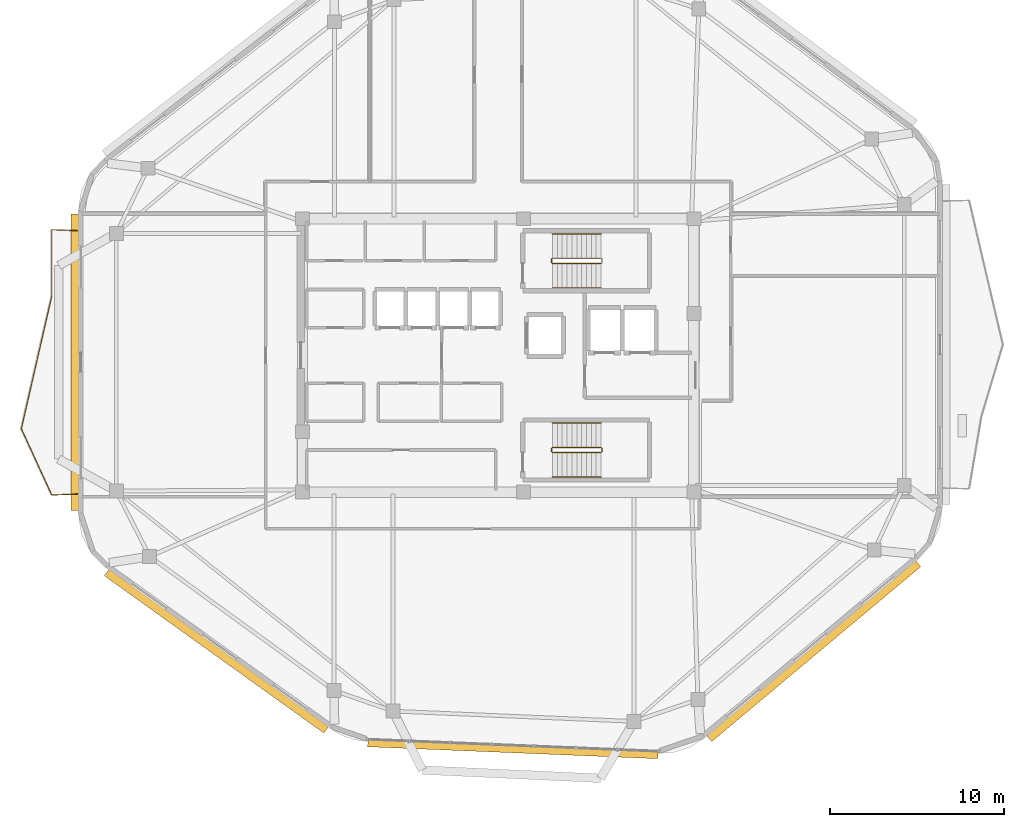
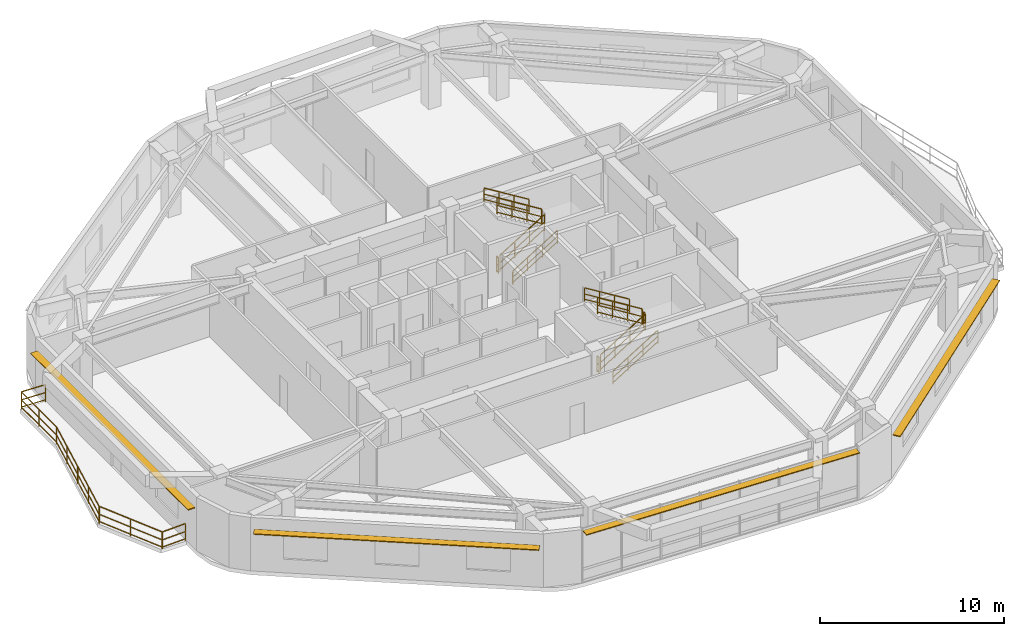
# One storey, part 11 of 13: 16 railings, 4 shading devices.
"""IFC4 building model written with IfcOpenShell, lengths in metres."""

from ifc_helpers import new_model, si_unit, direction, frame, origin, origin_2d, place, context, subcontext, project, spatial, rectangle, extrude, material, layer, layer_set, type_object, element, save


model = new_model("IFC4")

# Units and contexts
model_context = context("Model", 3, precision=1e-05, world=origin(), true_north=direction((0.0, 1.0)))
body_context = subcontext(model_context, "Body", "Model", "MODEL_VIEW")
ifc_project = project(units=[si_unit("LENGTHUNIT", "METRE"), si_unit("AREAUNIT", "SQUARE_METRE"), si_unit("VOLUMEUNIT", "CUBIC_METRE"), si_unit("PLANEANGLEUNIT", "RADIAN"), si_unit("MASSUNIT", "GRAM", prefix="KILO")], contexts=[model_context])

# Site, building, storey
site_placement = place(None, origin())
site = spatial("IfcSite", under=ifc_project, at=site_placement, CompositionType="ELEMENT")
building_placement = place(site_placement, origin())
building = spatial("IfcBuilding", under=site, at=building_placement, Name="Zulverin Broadcast Headquarters", CompositionType="ELEMENT")
storey_placement = place(building_placement, frame((0.0, 0.0, 278.199951171875)))
storey = spatial("IfcBuildingStorey", under=building, at=storey_placement, Name="L71", CompositionType="ELEMENT", Elevation=278.199951171875)

# Railings
ifc_material_1 = material(Name="Brushed stainless steel & laminated glass balustrade", Category="steel")
railing_type_1 = type_object("IfcRailingType", Name="RL-GUARD-1150", PredefinedType="GUARDRAIL", material=ifc_material_1)
railing_1_placement = place(storey_placement, frame((12.760009765625, 32.387939453125, 0.0)))
element("IfcRailing", 1, at=railing_1_placement, inside=storey, type_object=railing_type_1, Name="L71 Vertical-Forest Balcony Guardrail BAL_W Segment 01", PredefinedType="GUARDRAIL", context=body_context, shape_type="SweptSolid", body=[
    extrude(rectangle(XDim=0.048095703125, YDim=0.048095703125, at=origin_2d()), frame((0.0, 0.0, 1.1259765625), z_axis=(-0.999174410196, 0.040626321628, 0.0), x_axis=(-0.040626321628, -0.999174410196, 0.0)), (0.0, 0.0, 1.0), 1.46630859375),
    extrude(rectangle(XDim=0.0419921875, YDim=0.0419921875, at=origin_2d()), frame((0.0, 0.0, 0.597900390625), z_axis=(-0.999174410196, 0.040626321628, 0.0), x_axis=(-0.040626321628, -0.999174410196, 0.0)), (0.0, 0.0, 1.0), 1.46630859375),
    extrude(rectangle(XDim=0.0419921875, YDim=0.0419921875, at=origin_2d()), frame((0.0, 0.0, 0.1201171875), z_axis=(-0.999174410196, 0.040626321628, 0.0), x_axis=(-0.040626321628, -0.999174410196, 0.0)), (0.0, 0.0, 1.0), 1.46630859375),
    extrude(rectangle(XDim=0.0419921875, YDim=0.0419921875, at=origin_2d()), origin(), (0.0, 0.0, 1.0), 1.101806640625),
    extrude(rectangle(XDim=0.0419921875, YDim=0.0419921875, at=origin_2d()), frame((-1.465087890625, 0.0595703125, 0.0)), (0.0, 0.0, 1.0), 1.101806640625),
])
railing_2_placement = place(storey_placement, frame((11.280029296875, 32.43310546875, 0.0)))
element("IfcRailing", 2, at=railing_2_placement, inside=storey, type_object=railing_type_1, Name="L71 Vertical-Forest Balcony Guardrail BAL_W Segment 02", PredefinedType="GUARDRAIL", context=body_context, shape_type="SweptSolid", body=[
    extrude(rectangle(XDim=0.048095703125, YDim=0.048095703125, at=origin_2d()), frame((0.0, 0.0, 1.1259765625), z_axis=(0.0, -1.0, 0.0), x_axis=(1.0, 0.0, 0.0)), (0.0, 0.0, 1.0), 3.794189453125),
    extrude(rectangle(XDim=0.0419921875, YDim=0.0419921875, at=origin_2d()), frame((0.0, 0.0, 0.597900390625), z_axis=(0.0, -1.0, 0.0), x_axis=(1.0, 0.0, 0.0)), (0.0, 0.0, 1.0), 3.794189453125),
    extrude(rectangle(XDim=0.0419921875, YDim=0.0419921875, at=origin_2d()), frame((0.0, 0.0, 0.1201171875), z_axis=(0.0, -1.0, 0.0), x_axis=(1.0, 0.0, 0.0)), (0.0, 0.0, 1.0), 3.794189453125),
    extrude(rectangle(XDim=0.0419921875, YDim=0.0419921875, at=origin_2d()), origin(), (0.0, 0.0, 1.0), 1.101806640625),
    extrude(rectangle(XDim=0.0419921875, YDim=0.0419921875, at=origin_2d()), frame((0.0, -1.89697265625, 0.0)), (0.0, 0.0, 1.0), 1.101806640625),
    extrude(rectangle(XDim=0.0419921875, YDim=0.0419921875, at=origin_2d()), frame((0.0, -3.794189453125, 0.0)), (0.0, 0.0, 1.0), 1.101806640625),
])
railing_3_placement = place(storey_placement, frame((11.276611328125, 28.609375, 0.0)))
element("IfcRailing", 3, at=railing_3_placement, inside=storey, type_object=railing_type_1, Name="L71 Vertical-Forest Balcony Guardrail BAL_W Segment 03", PredefinedType="GUARDRAIL", context=body_context, shape_type="SweptSolid", body=[
    extrude(rectangle(XDim=0.048095703125, YDim=0.048095703125, at=origin_2d()), frame((0.0, 0.0, 1.1259765625), z_axis=(-0.223536273561, -0.974695611154, 0.0), x_axis=(0.974695611154, -0.223536273561, 0.0)), (0.0, 0.0, 1.0), 7.816650390625),
    extrude(rectangle(XDim=0.0419921875, YDim=0.0419921875, at=origin_2d()), frame((0.0, 0.0, 0.597900390625), z_axis=(-0.223536273561, -0.974695611154, 0.0), x_axis=(0.974695611154, -0.223536273561, 0.0)), (0.0, 0.0, 1.0), 7.816650390625),
    extrude(rectangle(XDim=0.0419921875, YDim=0.0419921875, at=origin_2d()), frame((0.0, 0.0, 0.1201171875), z_axis=(-0.223536273561, -0.974695611154, 0.0), x_axis=(0.974695611154, -0.223536273561, 0.0)), (0.0, 0.0, 1.0), 7.816650390625),
    extrude(rectangle(XDim=0.0419921875, YDim=0.0419921875, at=origin_2d()), origin(), (0.0, 0.0, 1.0), 1.101806640625),
    extrude(rectangle(XDim=0.0419921875, YDim=0.0419921875, at=origin_2d()), frame((-0.436767578125, -1.90478515625, 0.0)), (0.0, 0.0, 1.0), 1.101806640625),
    extrude(rectangle(XDim=0.0419921875, YDim=0.0419921875, at=origin_2d()), frame((-0.87353515625, -3.8095703125, 0.0)), (0.0, 0.0, 1.0), 1.101806640625),
    extrude(rectangle(XDim=0.0419921875, YDim=0.0419921875, at=origin_2d()), frame((-1.310546875, -5.714111328125, 0.0)), (0.0, 0.0, 1.0), 1.101806640625),
    extrude(rectangle(XDim=0.0419921875, YDim=0.0419921875, at=origin_2d()), frame((-1.747314453125, -7.618896484375, 0.0)), (0.0, 0.0, 1.0), 1.101806640625),
])
railing_4_placement = place(storey_placement, frame((9.5322265625, 20.962158203125, 0.0)))
element("IfcRailing", 4, at=railing_4_placement, inside=storey, type_object=railing_type_1, Name="L71 Vertical-Forest Balcony Guardrail BAL_W Segment 04", PredefinedType="GUARDRAIL", context=body_context, shape_type="SweptSolid", body=[
    extrude(rectangle(XDim=0.048095703125, YDim=0.048095703125, at=origin_2d()), frame((0.0, 0.0, 1.1259765625), z_axis=(0.416896194835, -0.908954103754, 0.0), x_axis=(0.908954103754, 0.416896194835, 0.0)), (0.0, 0.0, 1.0), 4.17724609375),
    extrude(rectangle(XDim=0.0419921875, YDim=0.0419921875, at=origin_2d()), frame((0.0, 0.0, 0.597900390625), z_axis=(0.416896194835, -0.908954103754, 0.0), x_axis=(0.908954103754, 0.416896194835, 0.0)), (0.0, 0.0, 1.0), 4.17724609375),
    extrude(rectangle(XDim=0.0419921875, YDim=0.0419921875, at=origin_2d()), frame((0.0, 0.0, 0.1201171875), z_axis=(0.416896194835, -0.908954103754, 0.0), x_axis=(0.908954103754, 0.416896194835, 0.0)), (0.0, 0.0, 1.0), 4.17724609375),
    extrude(rectangle(XDim=0.0419921875, YDim=0.0419921875, at=origin_2d()), origin(), (0.0, 0.0, 1.0), 1.101806640625),
    extrude(rectangle(XDim=0.0419921875, YDim=0.0419921875, at=origin_2d()), frame((0.87060546875, -1.8984375, 0.0)), (0.0, 0.0, 1.0), 1.101806640625),
    extrude(rectangle(XDim=0.0419921875, YDim=0.0419921875, at=origin_2d()), frame((1.741455078125, -3.796875, 0.0)), (0.0, 0.0, 1.0), 1.101806640625),
])
railing_5_placement = place(storey_placement, frame((11.294921875, 17.15234375, 0.0)))
element("IfcRailing", 5, at=railing_5_placement, inside=storey, type_object=railing_type_1, Name="L71 Vertical-Forest Balcony Guardrail BAL_W Segment 05", PredefinedType="GUARDRAIL", context=body_context, shape_type="SweptSolid", body=[
    extrude(rectangle(XDim=0.048095703125, YDim=0.048095703125, at=origin_2d()), frame((0.0, 0.0, 1.1259765625), z_axis=(0.999181155166, 0.040460093435, 0.0), x_axis=(-0.040460093435, 0.999181155166, 0.0)), (0.0, 0.0, 1.0), 1.46630859375),
    extrude(rectangle(XDim=0.0419921875, YDim=0.0419921875, at=origin_2d()), frame((0.0, 0.0, 0.597900390625), z_axis=(0.999181155166, 0.040460093435, 0.0), x_axis=(-0.040460093435, 0.999181155166, 0.0)), (0.0, 0.0, 1.0), 1.46630859375),
    extrude(rectangle(XDim=0.0419921875, YDim=0.0419921875, at=origin_2d()), frame((0.0, 0.0, 0.1201171875), z_axis=(0.999181155166, 0.040460093435, 0.0), x_axis=(-0.040460093435, 0.999181155166, 0.0)), (0.0, 0.0, 1.0), 1.46630859375),
    extrude(rectangle(XDim=0.0419921875, YDim=0.0419921875, at=origin_2d()), origin(), (0.0, 0.0, 1.0), 1.101806640625),
    extrude(rectangle(XDim=0.0419921875, YDim=0.0419921875, at=origin_2d()), frame((1.465087890625, 0.059326171875, 0.0)), (0.0, 0.0, 1.0), 1.101806640625),
])
ifc_material_2 = material(Name="Painted galvanized steel tubular guardrail S355JR", Category="steel")
railing_type_2 = type_object("IfcRailingType", Name="RL-ST-GUARD", PredefinedType="GUARDRAIL", material=ifc_material_2)
railing_6_placement = place(storey_placement, frame((40.1298828125, 30.5, 0.1728515625)))
element("IfcRailing", 6, at=railing_6_placement, inside=storey, type_object=railing_type_2, Name="L71 ST-1 stair guard 1", PredefinedType="GUARDRAIL", context=body_context, shape_type="SweptSolid", body=[
    extrude(rectangle(XDim=0.048095703125, YDim=0.048095703125, at=origin_2d()), frame((0.0, 0.0, 1.076171875), z_axis=(0.851089632645, 0.0, 0.525020415988), x_axis=(0.0, 1.0, 0.0)), (0.0, 0.0, 1.0), 3.2900390625),
    extrude(rectangle(XDim=0.0419921875, YDim=0.0419921875, at=origin_2d()), frame((0.0, 0.0, 0.572021484375), z_axis=(0.851089632645, 0.0, 0.525020415988), x_axis=(0.0, 1.0, 0.0)), (0.0, 0.0, 1.0), 3.2900390625),
    extrude(rectangle(XDim=0.0419921875, YDim=0.0419921875, at=origin_2d()), frame((0.0, 0.0, 0.1201171875), z_axis=(0.851089632645, 0.0, 0.525020415988), x_axis=(0.0, 1.0, 0.0)), (0.0, 0.0, 1.0), 3.2900390625),
    extrude(rectangle(XDim=0.0419921875, YDim=0.0419921875, at=origin_2d()), origin(), (0.0, 0.0, 1.0), 1.052001953125),
    extrude(rectangle(XDim=0.0419921875, YDim=0.0419921875, at=origin_2d()), frame((0.933349609375, 0.0, 0.57568359375)), (0.0, 0.0, 1.0), 1.052001953125),
    extrude(rectangle(XDim=0.0419921875, YDim=0.0419921875, at=origin_2d()), frame((1.86669921875, 0.0, 1.151611328125)), (0.0, 0.0, 1.0), 1.052001953125),
    extrude(rectangle(XDim=0.0419921875, YDim=0.0419921875, at=origin_2d()), frame((2.800048828125, 0.0, 1.727294921875)), (0.0, 0.0, 1.0), 1.052001953125),
])
railing_7_placement = place(storey_placement, frame((42.929931640625, 30.800048828125, 2.07275390625)))
element("IfcRailing", 7, at=railing_7_placement, inside=storey, type_object=railing_type_2, Name="L71 ST-1 stair guard 3", PredefinedType="GUARDRAIL", context=body_context, shape_type="SweptSolid", body=[
    extrude(rectangle(XDim=0.048095703125, YDim=0.048095703125, at=origin_2d()), frame((0.0, 0.0, 1.076171875), z_axis=(-0.851089632645, 0.0, 0.525020415988), x_axis=(0.0, -1.0, 0.0)), (0.0, 0.0, 1.0), 3.2900390625),
    extrude(rectangle(XDim=0.0419921875, YDim=0.0419921875, at=origin_2d()), frame((0.0, 0.0, 0.572021484375), z_axis=(-0.851089632645, 0.0, 0.525020415988), x_axis=(0.0, -1.0, 0.0)), (0.0, 0.0, 1.0), 3.2900390625),
    extrude(rectangle(XDim=0.0419921875, YDim=0.0419921875, at=origin_2d()), frame((0.0, 0.0, 0.1201171875), z_axis=(-0.851089632645, 0.0, 0.525020415988), x_axis=(0.0, -1.0, 0.0)), (0.0, 0.0, 1.0), 3.2900390625),
    extrude(rectangle(XDim=0.0419921875, YDim=0.0419921875, at=origin_2d()), origin(), (0.0, 0.0, 1.0), 1.052001953125),
    extrude(rectangle(XDim=0.0419921875, YDim=0.0419921875, at=origin_2d()), frame((-0.933349609375, 0.0, 0.57568359375)), (0.0, 0.0, 1.0), 1.052001953125),
    extrude(rectangle(XDim=0.0419921875, YDim=0.0419921875, at=origin_2d()), frame((-1.86669921875, 0.0, 1.151611328125)), (0.0, 0.0, 1.0), 1.052001953125),
    extrude(rectangle(XDim=0.0419921875, YDim=0.0419921875, at=origin_2d()), frame((-2.800048828125, 0.0, 1.727294921875)), (0.0, 0.0, 1.0), 1.052001953125),
])
railing_8_placement = place(storey_placement, frame((40.080078125, 30.550048828125, 0.0)))
element("IfcRailing", 8, at=railing_8_placement, inside=storey, type_object=railing_type_2, Name="L71 ST-1 stair guard 4", PredefinedType="GUARDRAIL", context=body_context, shape_type="SweptSolid", body=[
    extrude(rectangle(XDim=0.048095703125, YDim=0.048095703125, at=origin_2d()), frame((0.0, 0.0, 1.076171875), z_axis=(0.0, 1.0, 0.0), x_axis=(-1.0, 0.0, 0.0)), (0.0, 0.0, 1.0), 0.199951171875),
    extrude(rectangle(XDim=0.0419921875, YDim=0.0419921875, at=origin_2d()), frame((0.0, 0.0, 0.572021484375), z_axis=(0.0, 1.0, 0.0), x_axis=(-1.0, 0.0, 0.0)), (0.0, 0.0, 1.0), 0.199951171875),
    extrude(rectangle(XDim=0.0419921875, YDim=0.0419921875, at=origin_2d()), frame((0.0, 0.0, 0.1201171875), z_axis=(0.0, 1.0, 0.0), x_axis=(-1.0, 0.0, 0.0)), (0.0, 0.0, 1.0), 0.199951171875),
    extrude(rectangle(XDim=0.0419921875, YDim=0.0419921875, at=origin_2d()), origin(), (0.0, 0.0, 1.0), 1.052001953125),
    extrude(rectangle(XDim=0.0419921875, YDim=0.0419921875, at=origin_2d()), frame((0.0, 0.199951171875, 0.0)), (0.0, 0.0, 1.0), 1.052001953125),
])
railing_9_placement = place(storey_placement, frame((40.1298828125, 19.60009765625, 0.1728515625)))
element("IfcRailing", 9, at=railing_9_placement, inside=storey, type_object=railing_type_2, Name="L71 ST-2 stair guard 1", PredefinedType="GUARDRAIL", context=body_context, shape_type="SweptSolid", body=[
    extrude(rectangle(XDim=0.048095703125, YDim=0.048095703125, at=origin_2d()), frame((0.0, 0.0, 1.076171875), z_axis=(0.851089632645, 0.0, 0.525020415988), x_axis=(0.0, 1.0, 0.0)), (0.0, 0.0, 1.0), 3.2900390625),
    extrude(rectangle(XDim=0.0419921875, YDim=0.0419921875, at=origin_2d()), frame((0.0, 0.0, 0.572021484375), z_axis=(0.851089632645, 0.0, 0.525020415988), x_axis=(0.0, 1.0, 0.0)), (0.0, 0.0, 1.0), 3.2900390625),
    extrude(rectangle(XDim=0.0419921875, YDim=0.0419921875, at=origin_2d()), frame((0.0, 0.0, 0.1201171875), z_axis=(0.851089632645, 0.0, 0.525020415988), x_axis=(0.0, 1.0, 0.0)), (0.0, 0.0, 1.0), 3.2900390625),
    extrude(rectangle(XDim=0.0419921875, YDim=0.0419921875, at=origin_2d()), origin(), (0.0, 0.0, 1.0), 1.052001953125),
    extrude(rectangle(XDim=0.0419921875, YDim=0.0419921875, at=origin_2d()), frame((0.933349609375, 0.0, 0.57568359375)), (0.0, 0.0, 1.0), 1.052001953125),
    extrude(rectangle(XDim=0.0419921875, YDim=0.0419921875, at=origin_2d()), frame((1.86669921875, 0.0, 1.151611328125)), (0.0, 0.0, 1.0), 1.052001953125),
    extrude(rectangle(XDim=0.0419921875, YDim=0.0419921875, at=origin_2d()), frame((2.800048828125, 0.0, 1.727294921875)), (0.0, 0.0, 1.0), 1.052001953125),
])
railing_10_placement = place(storey_placement, frame((42.97998046875, 19.64990234375, 1.900146484375)))
element("IfcRailing", 10, at=railing_10_placement, inside=storey, type_object=railing_type_2, Name="L71 ST-2 stair guard 2", PredefinedType="GUARDRAIL", context=body_context, shape_type="SweptSolid", body=[
    extrude(rectangle(XDim=0.048095703125, YDim=0.048095703125, at=origin_2d()), frame((0.0, 0.0, 1.076171875), z_axis=(0.0, 1.0, 0.0), x_axis=(-1.0, 0.0, 0.0)), (0.0, 0.0, 1.0), 0.2001953125),
    extrude(rectangle(XDim=0.0419921875, YDim=0.0419921875, at=origin_2d()), frame((0.0, 0.0, 0.572021484375), z_axis=(0.0, 1.0, 0.0), x_axis=(-1.0, 0.0, 0.0)), (0.0, 0.0, 1.0), 0.2001953125),
    extrude(rectangle(XDim=0.0419921875, YDim=0.0419921875, at=origin_2d()), frame((0.0, 0.0, 0.1201171875), z_axis=(0.0, 1.0, 0.0), x_axis=(-1.0, 0.0, 0.0)), (0.0, 0.0, 1.0), 0.2001953125),
    extrude(rectangle(XDim=0.0419921875, YDim=0.0419921875, at=origin_2d()), origin(), (0.0, 0.0, 1.0), 1.052001953125),
    extrude(rectangle(XDim=0.0419921875, YDim=0.0419921875, at=origin_2d()), frame((0.0, 0.2001953125, 0.0)), (0.0, 0.0, 1.0), 1.052001953125),
])
railing_11_placement = place(storey_placement, frame((42.929931640625, 19.89990234375, 2.07275390625)))
element("IfcRailing", 11, at=railing_11_placement, inside=storey, type_object=railing_type_2, Name="L71 ST-2 stair guard 3", PredefinedType="GUARDRAIL", context=body_context, shape_type="SweptSolid", body=[
    extrude(rectangle(XDim=0.048095703125, YDim=0.048095703125, at=origin_2d()), frame((0.0, 0.0, 1.076171875), z_axis=(-0.851089632645, 0.0, 0.525020415988), x_axis=(0.0, -1.0, 0.0)), (0.0, 0.0, 1.0), 3.2900390625),
    extrude(rectangle(XDim=0.0419921875, YDim=0.0419921875, at=origin_2d()), frame((0.0, 0.0, 0.572021484375), z_axis=(-0.851089632645, 0.0, 0.525020415988), x_axis=(0.0, -1.0, 0.0)), (0.0, 0.0, 1.0), 3.2900390625),
    extrude(rectangle(XDim=0.0419921875, YDim=0.0419921875, at=origin_2d()), frame((0.0, 0.0, 0.1201171875), z_axis=(-0.851089632645, 0.0, 0.525020415988), x_axis=(0.0, -1.0, 0.0)), (0.0, 0.0, 1.0), 3.2900390625),
    extrude(rectangle(XDim=0.0419921875, YDim=0.0419921875, at=origin_2d()), origin(), (0.0, 0.0, 1.0), 1.052001953125),
    extrude(rectangle(XDim=0.0419921875, YDim=0.0419921875, at=origin_2d()), frame((-0.933349609375, 0.0, 0.57568359375)), (0.0, 0.0, 1.0), 1.052001953125),
    extrude(rectangle(XDim=0.0419921875, YDim=0.0419921875, at=origin_2d()), frame((-1.86669921875, 0.0, 1.151611328125)), (0.0, 0.0, 1.0), 1.052001953125),
    extrude(rectangle(XDim=0.0419921875, YDim=0.0419921875, at=origin_2d()), frame((-2.800048828125, 0.0, 1.727294921875)), (0.0, 0.0, 1.0), 1.052001953125),
])
railing_12_placement = place(storey_placement, frame((40.080078125, 19.64990234375, 0.0)))
element("IfcRailing", 12, at=railing_12_placement, inside=storey, type_object=railing_type_2, Name="L71 ST-2 stair guard 4", PredefinedType="GUARDRAIL", context=body_context, shape_type="SweptSolid", body=[
    extrude(rectangle(XDim=0.048095703125, YDim=0.048095703125, at=origin_2d()), frame((0.0, 0.0, 1.076171875), z_axis=(0.0, 1.0, 0.0), x_axis=(-1.0, 0.0, 0.0)), (0.0, 0.0, 1.0), 0.2001953125),
    extrude(rectangle(XDim=0.0419921875, YDim=0.0419921875, at=origin_2d()), frame((0.0, 0.0, 0.572021484375), z_axis=(0.0, 1.0, 0.0), x_axis=(-1.0, 0.0, 0.0)), (0.0, 0.0, 1.0), 0.2001953125),
    extrude(rectangle(XDim=0.0419921875, YDim=0.0419921875, at=origin_2d()), frame((0.0, 0.0, 0.1201171875), z_axis=(0.0, 1.0, 0.0), x_axis=(-1.0, 0.0, 0.0)), (0.0, 0.0, 1.0), 0.2001953125),
    extrude(rectangle(XDim=0.0419921875, YDim=0.0419921875, at=origin_2d()), origin(), (0.0, 0.0, 1.0), 1.052001953125),
    extrude(rectangle(XDim=0.0419921875, YDim=0.0419921875, at=origin_2d()), frame((0.0, 0.2001953125, 0.0)), (0.0, 0.0, 1.0), 1.052001953125),
])
ifc_material_3 = material(Name="Brushed stainless steel 48 mm handrail", Category="steel")
railing_type_3 = type_object("IfcRailingType", Name="RL-ST-HAND", PredefinedType="HANDRAIL", material=ifc_material_3)
railing_13_placement = place(storey_placement, frame((40.1298828125, 29.10009765625, 0.1728515625)))
element("IfcRailing", 13, at=railing_13_placement, inside=storey, type_object=railing_type_3, Name="L71 ST-1 stair handrail 1", PredefinedType="HANDRAIL", context=body_context, shape_type="SweptSolid", body=[
    extrude(rectangle(XDim=0.048095703125, YDim=0.048095703125, at=origin_2d()), frame((0.0, 0.0, 0.8759765625), z_axis=(0.851089632645, 0.0, 0.525020415988), x_axis=(0.0, 1.0, 0.0)), (0.0, 0.0, 1.0), 3.2900390625),
    extrude(rectangle(XDim=0.0419921875, YDim=0.0419921875, at=origin_2d()), frame((0.0, 0.0, 0.468017578125), z_axis=(0.851089632645, 0.0, 0.525020415988), x_axis=(0.0, 1.0, 0.0)), (0.0, 0.0, 1.0), 3.2900390625),
    extrude(rectangle(XDim=0.0419921875, YDim=0.0419921875, at=origin_2d()), frame((0.0, 0.0, 0.1201171875), z_axis=(0.851089632645, 0.0, 0.525020415988), x_axis=(0.0, 1.0, 0.0)), (0.0, 0.0, 1.0), 3.2900390625),
    extrude(rectangle(XDim=0.0419921875, YDim=0.0419921875, at=origin_2d()), origin(), (0.0, 0.0, 1.0), 0.851806640625),
    extrude(rectangle(XDim=0.0419921875, YDim=0.0419921875, at=origin_2d()), frame((0.933349609375, 0.0, 0.57568359375)), (0.0, 0.0, 1.0), 0.851806640625),
    extrude(rectangle(XDim=0.0419921875, YDim=0.0419921875, at=origin_2d()), frame((1.86669921875, 0.0, 1.151611328125)), (0.0, 0.0, 1.0), 0.851806640625),
    extrude(rectangle(XDim=0.0419921875, YDim=0.0419921875, at=origin_2d()), frame((2.800048828125, 0.0, 1.727294921875)), (0.0, 0.0, 1.0), 0.851806640625),
])
railing_14_placement = place(storey_placement, frame((42.929931640625, 32.199951171875, 2.07275390625)))
element("IfcRailing", 14, at=railing_14_placement, inside=storey, type_object=railing_type_3, Name="L71 ST-1 stair handrail 2", PredefinedType="HANDRAIL", context=body_context, shape_type="SweptSolid", body=[
    extrude(rectangle(XDim=0.048095703125, YDim=0.048095703125, at=origin_2d()), frame((0.0, 0.0, 0.8759765625), z_axis=(-0.851089632645, 0.0, 0.525020415988), x_axis=(0.0, -1.0, 0.0)), (0.0, 0.0, 1.0), 3.2900390625),
    extrude(rectangle(XDim=0.0419921875, YDim=0.0419921875, at=origin_2d()), frame((0.0, 0.0, 0.468017578125), z_axis=(-0.851089632645, 0.0, 0.525020415988), x_axis=(0.0, -1.0, 0.0)), (0.0, 0.0, 1.0), 3.2900390625),
    extrude(rectangle(XDim=0.0419921875, YDim=0.0419921875, at=origin_2d()), frame((0.0, 0.0, 0.1201171875), z_axis=(-0.851089632645, 0.0, 0.525020415988), x_axis=(0.0, -1.0, 0.0)), (0.0, 0.0, 1.0), 3.2900390625),
    extrude(rectangle(XDim=0.0419921875, YDim=0.0419921875, at=origin_2d()), origin(), (0.0, 0.0, 1.0), 0.851806640625),
    extrude(rectangle(XDim=0.0419921875, YDim=0.0419921875, at=origin_2d()), frame((-0.933349609375, 0.0, 0.57568359375)), (0.0, 0.0, 1.0), 0.851806640625),
    extrude(rectangle(XDim=0.0419921875, YDim=0.0419921875, at=origin_2d()), frame((-1.86669921875, 0.0, 1.151611328125)), (0.0, 0.0, 1.0), 0.851806640625),
    extrude(rectangle(XDim=0.0419921875, YDim=0.0419921875, at=origin_2d()), frame((-2.800048828125, 0.0, 1.727294921875)), (0.0, 0.0, 1.0), 0.851806640625),
])
railing_15_placement = place(storey_placement, frame((40.1298828125, 18.199951171875, 0.1728515625)))
element("IfcRailing", 15, at=railing_15_placement, inside=storey, type_object=railing_type_3, Name="L71 ST-2 stair handrail 1", PredefinedType="HANDRAIL", context=body_context, shape_type="SweptSolid", body=[
    extrude(rectangle(XDim=0.048095703125, YDim=0.048095703125, at=origin_2d()), frame((0.0, 0.0, 0.8759765625), z_axis=(0.851089632645, 0.0, 0.525020415988), x_axis=(0.0, 1.0, 0.0)), (0.0, 0.0, 1.0), 3.2900390625),
    extrude(rectangle(XDim=0.0419921875, YDim=0.0419921875, at=origin_2d()), frame((0.0, 0.0, 0.468017578125), z_axis=(0.851089632645, 0.0, 0.525020415988), x_axis=(0.0, 1.0, 0.0)), (0.0, 0.0, 1.0), 3.2900390625),
    extrude(rectangle(XDim=0.0419921875, YDim=0.0419921875, at=origin_2d()), frame((0.0, 0.0, 0.1201171875), z_axis=(0.851089632645, 0.0, 0.525020415988), x_axis=(0.0, 1.0, 0.0)), (0.0, 0.0, 1.0), 3.2900390625),
    extrude(rectangle(XDim=0.0419921875, YDim=0.0419921875, at=origin_2d()), origin(), (0.0, 0.0, 1.0), 0.851806640625),
    extrude(rectangle(XDim=0.0419921875, YDim=0.0419921875, at=origin_2d()), frame((0.933349609375, 0.0, 0.57568359375)), (0.0, 0.0, 1.0), 0.851806640625),
    extrude(rectangle(XDim=0.0419921875, YDim=0.0419921875, at=origin_2d()), frame((1.86669921875, 0.0, 1.151611328125)), (0.0, 0.0, 1.0), 0.851806640625),
    extrude(rectangle(XDim=0.0419921875, YDim=0.0419921875, at=origin_2d()), frame((2.800048828125, 0.0, 1.727294921875)), (0.0, 0.0, 1.0), 0.851806640625),
])
railing_16_placement = place(storey_placement, frame((42.929931640625, 21.300048828125, 2.07275390625)))
element("IfcRailing", 16, at=railing_16_placement, inside=storey, type_object=railing_type_3, Name="L71 ST-2 stair handrail 2", PredefinedType="HANDRAIL", context=body_context, shape_type="SweptSolid", body=[
    extrude(rectangle(XDim=0.048095703125, YDim=0.048095703125, at=origin_2d()), frame((0.0, 0.0, 0.8759765625), z_axis=(-0.851089632645, 0.0, 0.525020415988), x_axis=(0.0, -1.0, 0.0)), (0.0, 0.0, 1.0), 3.2900390625),
    extrude(rectangle(XDim=0.0419921875, YDim=0.0419921875, at=origin_2d()), frame((0.0, 0.0, 0.468017578125), z_axis=(-0.851089632645, 0.0, 0.525020415988), x_axis=(0.0, -1.0, 0.0)), (0.0, 0.0, 1.0), 3.2900390625),
    extrude(rectangle(XDim=0.0419921875, YDim=0.0419921875, at=origin_2d()), frame((0.0, 0.0, 0.1201171875), z_axis=(-0.851089632645, 0.0, 0.525020415988), x_axis=(0.0, -1.0, 0.0)), (0.0, 0.0, 1.0), 3.2900390625),
    extrude(rectangle(XDim=0.0419921875, YDim=0.0419921875, at=origin_2d()), origin(), (0.0, 0.0, 1.0), 0.851806640625),
    extrude(rectangle(XDim=0.0419921875, YDim=0.0419921875, at=origin_2d()), frame((-0.933349609375, 0.0, 0.57568359375)), (0.0, 0.0, 1.0), 0.851806640625),
    extrude(rectangle(XDim=0.0419921875, YDim=0.0419921875, at=origin_2d()), frame((-1.86669921875, 0.0, 1.151611328125)), (0.0, 0.0, 1.0), 0.851806640625),
    extrude(rectangle(XDim=0.0419921875, YDim=0.0419921875, at=origin_2d()), frame((-2.800048828125, 0.0, 1.727294921875)), (0.0, 0.0, 1.0), 0.851806640625),
])

# Shading devices
ifc_material_4 = material(Name="Anodized pale-metal aluminium sunshade", Category="aluminium")
ifc_layer = layer(ifc_material_4, 0.06005859375, Name="Anodized pale-metal aluminium sunshade", Category="aluminium")
ifc_layer_set = layer_set([ifc_layer], Name="Anodized pale-metal aluminium sunshade")
shading_device_type = type_object("IfcShadingDeviceType", Name="SS-01_PALE_METAL_ALUMINIUM_SUNSHADE", PredefinedType="USERDEFINED", material=ifc_layer_set)
shading_device_1_placement = place(storey_placement, frame((37.850341796875, 2.52685546875, 3.31005859375), z_axis=(0.0, 0.0, 1.0), x_axis=(0.99915627139, -0.041070005388, 0.0)))
element("IfcShadingDevice", 17, at=shading_device_1_placement, inside=storey, type_object=shading_device_type, Name="L71 Pale-Metal Horizontal Sunshade Band CW-L71-E1", ObjectType="SUNSHADE", PredefinedType="USERDEFINED", context=body_context, shape_type="SweptSolid", body=[
    extrude(rectangle(XDim=16.736083984375, YDim=0.449951171875, at=origin_2d()), origin(), (0.0, 0.0, 1.0), 0.06005859375),
])
shading_device_2_placement = place(storey_placement, frame((55.186767578125, 8.158203125, 2.7099609375), z_axis=(0.0, 0.0, 1.0), x_axis=(0.76703526936, 0.641604937292, 0.0)))
element("IfcShadingDevice", 18, at=shading_device_2_placement, inside=storey, type_object=shading_device_type, Name="L71 Horizontal Pale-Metal Sunshade Band 2", ObjectType="SUNSHADE", PredefinedType="USERDEFINED", context=body_context, shape_type="SweptSolid", body=[
    extrude(rectangle(XDim=15.71337890625, YDim=0.449951171875, at=origin_2d()), origin(), (0.0, 0.0, 1.0), 0.06005859375),
])
shading_device_3_placement = place(storey_placement, frame((12.60009765625, 24.7998046875, 2.7099609375), z_axis=(0.0, 0.0, 1.0), x_axis=(0.0, -1.0, 0.0)))
element("IfcShadingDevice", 19, at=shading_device_3_placement, inside=storey, type_object=shading_device_type, Name="L71 Horizontal Pale-Metal Sunshade Band 7", ObjectType="SUNSHADE", PredefinedType="USERDEFINED", context=body_context, shape_type="SweptSolid", body=[
    extrude(rectangle(XDim=17.09619140625, YDim=0.449951171875, at=origin_2d()), origin(), (0.0, 0.0, 1.0), 0.06005859375),
])
shading_device_4_placement = place(storey_placement, frame((20.75927734375, 8.149658203125, 2.7099609375), z_axis=(0.0, 0.0, 1.0), x_axis=(0.812809068128, -0.582530187002, 0.0)))
element("IfcShadingDevice", 20, at=shading_device_4_placement, inside=storey, type_object=shading_device_type, Name="L71 Horizontal Pale-Metal Sunshade Band 8", ObjectType="SUNSHADE", PredefinedType="USERDEFINED", context=body_context, shape_type="SweptSolid", body=[
    extrude(rectangle(XDim=15.567626953125, YDim=0.449951171875, at=origin_2d()), origin(), (0.0, 0.0, 1.0), 0.06005859375),
])

save(model, "model.ifc")
